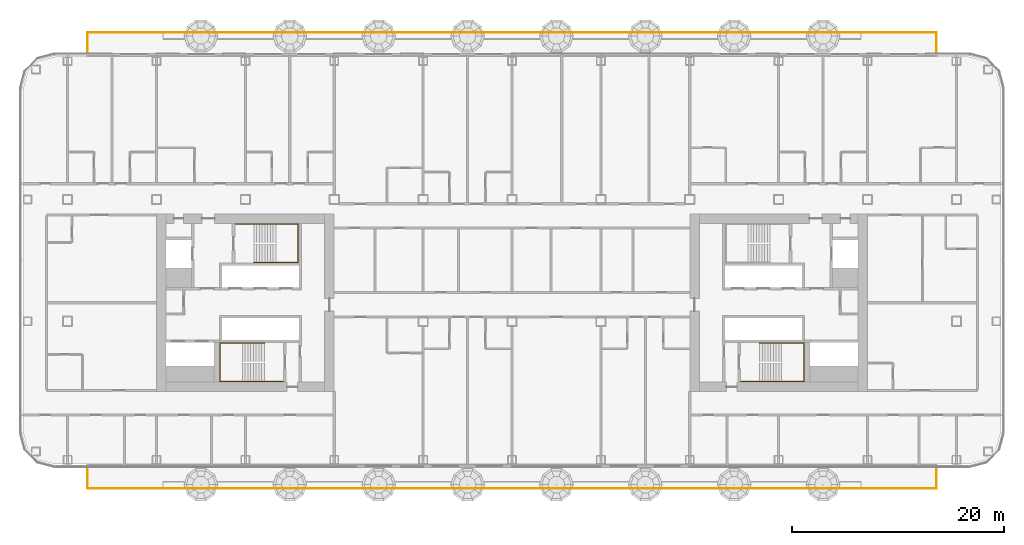
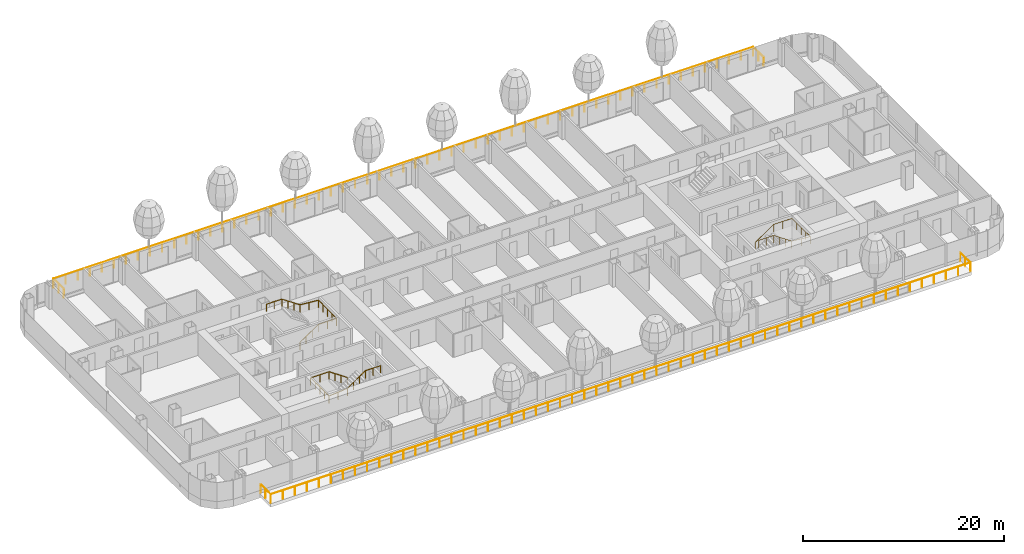
# One storey, part 27 of 33: 5 railings.
"""IFC4 building model written with IfcOpenShell, lengths in metres."""

from ifc_helpers import new_model, si_unit, direction, frame, origin, origin_2d, place, context, subcontext, project, spatial, circle, extrude, material, type_object, element, save


model = new_model("IFC4")

# Units and contexts
model_context = context("Model", 3, precision=1e-05, world=origin(), true_north=direction((0.0, 1.0)))
body_context = subcontext(model_context, "Body", "Model", "MODEL_VIEW")
ifc_project = project(units=[si_unit("LENGTHUNIT", "METRE"), si_unit("AREAUNIT", "SQUARE_METRE"), si_unit("VOLUMEUNIT", "CUBIC_METRE"), si_unit("PLANEANGLEUNIT", "RADIAN"), si_unit("MASSUNIT", "GRAM", prefix="KILO")], contexts=[model_context])

# Site, building, storey
site_placement = place(None, origin())
site = spatial("IfcSite", under=ifc_project, at=site_placement, CompositionType="ELEMENT")
building_placement = place(site_placement, origin())
building = spatial("IfcBuilding", under=site, at=building_placement, Name="Hakoniwa Tower and Hamabe Station Hall", CompositionType="ELEMENT")
storey_placement = place(building_placement, frame((0.0, 0.0, 81.800048828125)))
storey = spatial("IfcBuildingStorey", under=building, at=storey_placement, Name="L22", CompositionType="ELEMENT", Elevation=81.800048828125)

# Railings
ifc_material_1 = material(Name="Stainless steel and laminated glass", Category="steel")
railing_type_1 = type_object("IfcRailingType", Name="BALCONY BALUSTRADE 1100", PredefinedType="BALUSTRADE", material=ifc_material_1)
railing_1_placement = place(storey_placement, frame((-40.10009765625, 23.550048828125, 0.0)))
element("IfcRailing", 1, at=railing_1_placement, inside=storey, type_object=railing_type_1, Name="Balcony balustrade", PredefinedType="BALUSTRADE", context=body_context, shape_type="SweptSolid", body=[
    extrude(circle(Radius=0.02392578125, at=origin_2d()), frame((0.0, 0.0, 1.076171875), z_axis=(0.0, 1.0, 0.0), x_axis=(-1.0, 0.0, 0.0)), (0.0, 0.0, 1.0), 2.0),
    extrude(circle(Radius=0.02392578125, at=origin_2d()), frame((0.0, 2.0, 1.076171875), z_axis=(1.0, 0.0, 0.0), x_axis=(0.0, 1.0, 0.0)), (0.0, 0.0, 1.0), 80.2001953125),
    extrude(circle(Radius=0.02392578125, at=origin_2d()), frame((80.2001953125, 2.0, 1.076171875), z_axis=(0.0, -1.0, 0.0), x_axis=(1.0, 0.0, 0.0)), (0.0, 0.0, 1.0), 2.0),
    extrude(circle(Radius=0.02099609375, at=origin_2d()), origin(), (0.0, 0.0, 1.0), 1.052001953125),
    extrude(circle(Radius=0.02099609375, at=origin_2d()), frame((0.0, 1.0, 0.0)), (0.0, 0.0, 1.0), 1.052001953125),
    extrude(circle(Radius=0.02099609375, at=origin_2d()), frame((0.0, 2.0, 0.0)), (0.0, 0.0, 1.0), 1.052001953125),
    extrude(circle(Radius=0.02099609375, at=origin_2d()), frame((1.3828125, 2.0, 0.0)), (0.0, 0.0, 1.0), 1.052001953125),
    extrude(circle(Radius=0.02099609375, at=origin_2d()), frame((2.765625, 2.0, 0.0)), (0.0, 0.0, 1.0), 1.052001953125),
    extrude(circle(Radius=0.02099609375, at=origin_2d()), frame((4.148193359375, 2.0, 0.0)), (0.0, 0.0, 1.0), 1.052001953125),
    extrude(circle(Radius=0.02099609375, at=origin_2d()), frame((5.531005859375, 2.0, 0.0)), (0.0, 0.0, 1.0), 1.052001953125),
    extrude(circle(Radius=0.02099609375, at=origin_2d()), frame((6.913818359375, 2.0, 0.0)), (0.0, 0.0, 1.0), 1.052001953125),
    extrude(circle(Radius=0.02099609375, at=origin_2d()), frame((8.296630859375, 2.0, 0.0)), (0.0, 0.0, 1.0), 1.052001953125),
    extrude(circle(Radius=0.02099609375, at=origin_2d()), frame((9.679443359375, 2.0, 0.0)), (0.0, 0.0, 1.0), 1.052001953125),
    extrude(circle(Radius=0.02099609375, at=origin_2d()), frame((11.06201171875, 2.0, 0.0)), (0.0, 0.0, 1.0), 1.052001953125),
    extrude(circle(Radius=0.02099609375, at=origin_2d()), frame((12.44482421875, 2.0, 0.0)), (0.0, 0.0, 1.0), 1.052001953125),
    extrude(circle(Radius=0.02099609375, at=origin_2d()), frame((13.82763671875, 2.0, 0.0)), (0.0, 0.0, 1.0), 1.052001953125),
    extrude(circle(Radius=0.02099609375, at=origin_2d()), frame((15.21044921875, 2.0, 0.0)), (0.0, 0.0, 1.0), 1.052001953125),
    extrude(circle(Radius=0.02099609375, at=origin_2d()), frame((16.59326171875, 2.0, 0.0)), (0.0, 0.0, 1.0), 1.052001953125),
    extrude(circle(Radius=0.02099609375, at=origin_2d()), frame((17.975830078125, 2.0, 0.0)), (0.0, 0.0, 1.0), 1.052001953125),
    extrude(circle(Radius=0.02099609375, at=origin_2d()), frame((19.358642578125, 2.0, 0.0)), (0.0, 0.0, 1.0), 1.052001953125),
    extrude(circle(Radius=0.02099609375, at=origin_2d()), frame((20.741455078125, 2.0, 0.0)), (0.0, 0.0, 1.0), 1.052001953125),
    extrude(circle(Radius=0.02099609375, at=origin_2d()), frame((22.124267578125, 2.0, 0.0)), (0.0, 0.0, 1.0), 1.052001953125),
    extrude(circle(Radius=0.02099609375, at=origin_2d()), frame((23.5068359375, 2.0, 0.0)), (0.0, 0.0, 1.0), 1.052001953125),
    extrude(circle(Radius=0.02099609375, at=origin_2d()), frame((24.8896484375, 2.0, 0.0)), (0.0, 0.0, 1.0), 1.052001953125),
    extrude(circle(Radius=0.02099609375, at=origin_2d()), frame((26.2724609375, 2.0, 0.0)), (0.0, 0.0, 1.0), 1.052001953125),
    extrude(circle(Radius=0.02099609375, at=origin_2d()), frame((27.6552734375, 2.0, 0.0)), (0.0, 0.0, 1.0), 1.052001953125),
    extrude(circle(Radius=0.02099609375, at=origin_2d()), frame((29.0380859375, 2.0, 0.0)), (0.0, 0.0, 1.0), 1.052001953125),
    extrude(circle(Radius=0.02099609375, at=origin_2d()), frame((30.420654296875, 2.0, 0.0)), (0.0, 0.0, 1.0), 1.052001953125),
    extrude(circle(Radius=0.02099609375, at=origin_2d()), frame((31.803466796875, 2.0, 0.0)), (0.0, 0.0, 1.0), 1.052001953125),
    extrude(circle(Radius=0.02099609375, at=origin_2d()), frame((33.186279296875, 2.0, 0.0)), (0.0, 0.0, 1.0), 1.052001953125),
    extrude(circle(Radius=0.02099609375, at=origin_2d()), frame((34.569091796875, 2.0, 0.0)), (0.0, 0.0, 1.0), 1.052001953125),
    extrude(circle(Radius=0.02099609375, at=origin_2d()), frame((35.951904296875, 2.0, 0.0)), (0.0, 0.0, 1.0), 1.052001953125),
    extrude(circle(Radius=0.02099609375, at=origin_2d()), frame((37.33447265625, 2.0, 0.0)), (0.0, 0.0, 1.0), 1.052001953125),
    extrude(circle(Radius=0.02099609375, at=origin_2d()), frame((38.71728515625, 2.0, 0.0)), (0.0, 0.0, 1.0), 1.052001953125),
    extrude(circle(Radius=0.02099609375, at=origin_2d()), frame((40.10009765625, 2.0, 0.0)), (0.0, 0.0, 1.0), 1.052001953125),
    extrude(circle(Radius=0.02099609375, at=origin_2d()), frame((41.48291015625, 2.0, 0.0)), (0.0, 0.0, 1.0), 1.052001953125),
    extrude(circle(Radius=0.02099609375, at=origin_2d()), frame((42.86572265625, 2.0, 0.0)), (0.0, 0.0, 1.0), 1.052001953125),
    extrude(circle(Radius=0.02099609375, at=origin_2d()), frame((44.248291015625, 2.0, 0.0)), (0.0, 0.0, 1.0), 1.052001953125),
    extrude(circle(Radius=0.02099609375, at=origin_2d()), frame((45.631103515625, 2.0, 0.0)), (0.0, 0.0, 1.0), 1.052001953125),
    extrude(circle(Radius=0.02099609375, at=origin_2d()), frame((47.013916015625, 2.0, 0.0)), (0.0, 0.0, 1.0), 1.052001953125),
    extrude(circle(Radius=0.02099609375, at=origin_2d()), frame((48.396728515625, 2.0, 0.0)), (0.0, 0.0, 1.0), 1.052001953125),
    extrude(circle(Radius=0.02099609375, at=origin_2d()), frame((49.779541015625, 2.0, 0.0)), (0.0, 0.0, 1.0), 1.052001953125),
    extrude(circle(Radius=0.02099609375, at=origin_2d()), frame((51.162109375, 2.0, 0.0)), (0.0, 0.0, 1.0), 1.052001953125),
    extrude(circle(Radius=0.02099609375, at=origin_2d()), frame((52.544921875, 2.0, 0.0)), (0.0, 0.0, 1.0), 1.052001953125),
    extrude(circle(Radius=0.02099609375, at=origin_2d()), frame((53.927734375, 2.0, 0.0)), (0.0, 0.0, 1.0), 1.052001953125),
    extrude(circle(Radius=0.02099609375, at=origin_2d()), frame((55.310546875, 2.0, 0.0)), (0.0, 0.0, 1.0), 1.052001953125),
    extrude(circle(Radius=0.02099609375, at=origin_2d()), frame((56.693359375, 2.0, 0.0)), (0.0, 0.0, 1.0), 1.052001953125),
    extrude(circle(Radius=0.02099609375, at=origin_2d()), frame((58.075927734375, 2.0, 0.0)), (0.0, 0.0, 1.0), 1.052001953125),
    extrude(circle(Radius=0.02099609375, at=origin_2d()), frame((59.458740234375, 2.0, 0.0)), (0.0, 0.0, 1.0), 1.052001953125),
    extrude(circle(Radius=0.02099609375, at=origin_2d()), frame((60.841552734375, 2.0, 0.0)), (0.0, 0.0, 1.0), 1.052001953125),
    extrude(circle(Radius=0.02099609375, at=origin_2d()), frame((62.224365234375, 2.0, 0.0)), (0.0, 0.0, 1.0), 1.052001953125),
    extrude(circle(Radius=0.02099609375, at=origin_2d()), frame((63.60693359375, 2.0, 0.0)), (0.0, 0.0, 1.0), 1.052001953125),
    extrude(circle(Radius=0.02099609375, at=origin_2d()), frame((64.98974609375, 2.0, 0.0)), (0.0, 0.0, 1.0), 1.052001953125),
    extrude(circle(Radius=0.02099609375, at=origin_2d()), frame((66.37255859375, 2.0, 0.0)), (0.0, 0.0, 1.0), 1.052001953125),
    extrude(circle(Radius=0.02099609375, at=origin_2d()), frame((67.75537109375, 2.0, 0.0)), (0.0, 0.0, 1.0), 1.052001953125),
    extrude(circle(Radius=0.02099609375, at=origin_2d()), frame((69.13818359375, 2.0, 0.0)), (0.0, 0.0, 1.0), 1.052001953125),
    extrude(circle(Radius=0.02099609375, at=origin_2d()), frame((70.520751953125, 2.0, 0.0)), (0.0, 0.0, 1.0), 1.052001953125),
    extrude(circle(Radius=0.02099609375, at=origin_2d()), frame((71.903564453125, 2.0, 0.0)), (0.0, 0.0, 1.0), 1.052001953125),
    extrude(circle(Radius=0.02099609375, at=origin_2d()), frame((73.286376953125, 2.0, 0.0)), (0.0, 0.0, 1.0), 1.052001953125),
    extrude(circle(Radius=0.02099609375, at=origin_2d()), frame((74.669189453125, 2.0, 0.0)), (0.0, 0.0, 1.0), 1.052001953125),
    extrude(circle(Radius=0.02099609375, at=origin_2d()), frame((76.052001953125, 2.0, 0.0)), (0.0, 0.0, 1.0), 1.052001953125),
    extrude(circle(Radius=0.02099609375, at=origin_2d()), frame((77.4345703125, 2.0, 0.0)), (0.0, 0.0, 1.0), 1.052001953125),
    extrude(circle(Radius=0.02099609375, at=origin_2d()), frame((78.8173828125, 2.0, 0.0)), (0.0, 0.0, 1.0), 1.052001953125),
    extrude(circle(Radius=0.02099609375, at=origin_2d()), frame((80.2001953125, 2.0, 0.0)), (0.0, 0.0, 1.0), 1.052001953125),
    extrude(circle(Radius=0.02099609375, at=origin_2d()), frame((80.2001953125, 1.0, 0.0)), (0.0, 0.0, 1.0), 1.052001953125),
    extrude(circle(Radius=0.02099609375, at=origin_2d()), frame((80.2001953125, 0.0, 0.0)), (0.0, 0.0, 1.0), 1.052001953125),
])
railing_2_placement = place(storey_placement, frame((-40.10009765625, -15.550048828125, 0.0)))
element("IfcRailing", 2, at=railing_2_placement, inside=storey, type_object=railing_type_1, Name="Balcony balustrade", PredefinedType="BALUSTRADE", context=body_context, shape_type="SweptSolid", body=[
    extrude(circle(Radius=0.02392578125, at=origin_2d()), frame((0.0, 0.0, 1.076171875), z_axis=(0.0, -1.0, 0.0), x_axis=(1.0, 0.0, 0.0)), (0.0, 0.0, 1.0), 2.0),
    extrude(circle(Radius=0.02392578125, at=origin_2d()), frame((0.0, -2.0, 1.076171875), z_axis=(1.0, 0.0, 0.0), x_axis=(0.0, 1.0, 0.0)), (0.0, 0.0, 1.0), 80.2001953125),
    extrude(circle(Radius=0.02392578125, at=origin_2d()), frame((80.2001953125, -2.0, 1.076171875), z_axis=(0.0, 1.0, 0.0), x_axis=(-1.0, 0.0, 0.0)), (0.0, 0.0, 1.0), 2.0),
    extrude(circle(Radius=0.02099609375, at=origin_2d()), origin(), (0.0, 0.0, 1.0), 1.052001953125),
    extrude(circle(Radius=0.02099609375, at=origin_2d()), frame((0.0, -1.0, 0.0)), (0.0, 0.0, 1.0), 1.052001953125),
    extrude(circle(Radius=0.02099609375, at=origin_2d()), frame((0.0, -2.0, 0.0)), (0.0, 0.0, 1.0), 1.052001953125),
    extrude(circle(Radius=0.02099609375, at=origin_2d()), frame((1.3828125, -2.0, 0.0)), (0.0, 0.0, 1.0), 1.052001953125),
    extrude(circle(Radius=0.02099609375, at=origin_2d()), frame((2.765625, -2.0, 0.0)), (0.0, 0.0, 1.0), 1.052001953125),
    extrude(circle(Radius=0.02099609375, at=origin_2d()), frame((4.148193359375, -2.0, 0.0)), (0.0, 0.0, 1.0), 1.052001953125),
    extrude(circle(Radius=0.02099609375, at=origin_2d()), frame((5.531005859375, -2.0, 0.0)), (0.0, 0.0, 1.0), 1.052001953125),
    extrude(circle(Radius=0.02099609375, at=origin_2d()), frame((6.913818359375, -2.0, 0.0)), (0.0, 0.0, 1.0), 1.052001953125),
    extrude(circle(Radius=0.02099609375, at=origin_2d()), frame((8.296630859375, -2.0, 0.0)), (0.0, 0.0, 1.0), 1.052001953125),
    extrude(circle(Radius=0.02099609375, at=origin_2d()), frame((9.679443359375, -2.0, 0.0)), (0.0, 0.0, 1.0), 1.052001953125),
    extrude(circle(Radius=0.02099609375, at=origin_2d()), frame((11.06201171875, -2.0, 0.0)), (0.0, 0.0, 1.0), 1.052001953125),
    extrude(circle(Radius=0.02099609375, at=origin_2d()), frame((12.44482421875, -2.0, 0.0)), (0.0, 0.0, 1.0), 1.052001953125),
    extrude(circle(Radius=0.02099609375, at=origin_2d()), frame((13.82763671875, -2.0, 0.0)), (0.0, 0.0, 1.0), 1.052001953125),
    extrude(circle(Radius=0.02099609375, at=origin_2d()), frame((15.21044921875, -2.0, 0.0)), (0.0, 0.0, 1.0), 1.052001953125),
    extrude(circle(Radius=0.02099609375, at=origin_2d()), frame((16.59326171875, -2.0, 0.0)), (0.0, 0.0, 1.0), 1.052001953125),
    extrude(circle(Radius=0.02099609375, at=origin_2d()), frame((17.975830078125, -2.0, 0.0)), (0.0, 0.0, 1.0), 1.052001953125),
    extrude(circle(Radius=0.02099609375, at=origin_2d()), frame((19.358642578125, -2.0, 0.0)), (0.0, 0.0, 1.0), 1.052001953125),
    extrude(circle(Radius=0.02099609375, at=origin_2d()), frame((20.741455078125, -2.0, 0.0)), (0.0, 0.0, 1.0), 1.052001953125),
    extrude(circle(Radius=0.02099609375, at=origin_2d()), frame((22.124267578125, -2.0, 0.0)), (0.0, 0.0, 1.0), 1.052001953125),
    extrude(circle(Radius=0.02099609375, at=origin_2d()), frame((23.5068359375, -2.0, 0.0)), (0.0, 0.0, 1.0), 1.052001953125),
    extrude(circle(Radius=0.02099609375, at=origin_2d()), frame((24.8896484375, -2.0, 0.0)), (0.0, 0.0, 1.0), 1.052001953125),
    extrude(circle(Radius=0.02099609375, at=origin_2d()), frame((26.2724609375, -2.0, 0.0)), (0.0, 0.0, 1.0), 1.052001953125),
    extrude(circle(Radius=0.02099609375, at=origin_2d()), frame((27.6552734375, -2.0, 0.0)), (0.0, 0.0, 1.0), 1.052001953125),
    extrude(circle(Radius=0.02099609375, at=origin_2d()), frame((29.0380859375, -2.0, 0.0)), (0.0, 0.0, 1.0), 1.052001953125),
    extrude(circle(Radius=0.02099609375, at=origin_2d()), frame((30.420654296875, -2.0, 0.0)), (0.0, 0.0, 1.0), 1.052001953125),
    extrude(circle(Radius=0.02099609375, at=origin_2d()), frame((31.803466796875, -2.0, 0.0)), (0.0, 0.0, 1.0), 1.052001953125),
    extrude(circle(Radius=0.02099609375, at=origin_2d()), frame((33.186279296875, -2.0, 0.0)), (0.0, 0.0, 1.0), 1.052001953125),
    extrude(circle(Radius=0.02099609375, at=origin_2d()), frame((34.569091796875, -2.0, 0.0)), (0.0, 0.0, 1.0), 1.052001953125),
    extrude(circle(Radius=0.02099609375, at=origin_2d()), frame((35.951904296875, -2.0, 0.0)), (0.0, 0.0, 1.0), 1.052001953125),
    extrude(circle(Radius=0.02099609375, at=origin_2d()), frame((37.33447265625, -2.0, 0.0)), (0.0, 0.0, 1.0), 1.052001953125),
    extrude(circle(Radius=0.02099609375, at=origin_2d()), frame((38.71728515625, -2.0, 0.0)), (0.0, 0.0, 1.0), 1.052001953125),
    extrude(circle(Radius=0.02099609375, at=origin_2d()), frame((40.10009765625, -2.0, 0.0)), (0.0, 0.0, 1.0), 1.052001953125),
    extrude(circle(Radius=0.02099609375, at=origin_2d()), frame((41.48291015625, -2.0, 0.0)), (0.0, 0.0, 1.0), 1.052001953125),
    extrude(circle(Radius=0.02099609375, at=origin_2d()), frame((42.86572265625, -2.0, 0.0)), (0.0, 0.0, 1.0), 1.052001953125),
    extrude(circle(Radius=0.02099609375, at=origin_2d()), frame((44.248291015625, -2.0, 0.0)), (0.0, 0.0, 1.0), 1.052001953125),
    extrude(circle(Radius=0.02099609375, at=origin_2d()), frame((45.631103515625, -2.0, 0.0)), (0.0, 0.0, 1.0), 1.052001953125),
    extrude(circle(Radius=0.02099609375, at=origin_2d()), frame((47.013916015625, -2.0, 0.0)), (0.0, 0.0, 1.0), 1.052001953125),
    extrude(circle(Radius=0.02099609375, at=origin_2d()), frame((48.396728515625, -2.0, 0.0)), (0.0, 0.0, 1.0), 1.052001953125),
    extrude(circle(Radius=0.02099609375, at=origin_2d()), frame((49.779541015625, -2.0, 0.0)), (0.0, 0.0, 1.0), 1.052001953125),
    extrude(circle(Radius=0.02099609375, at=origin_2d()), frame((51.162109375, -2.0, 0.0)), (0.0, 0.0, 1.0), 1.052001953125),
    extrude(circle(Radius=0.02099609375, at=origin_2d()), frame((52.544921875, -2.0, 0.0)), (0.0, 0.0, 1.0), 1.052001953125),
    extrude(circle(Radius=0.02099609375, at=origin_2d()), frame((53.927734375, -2.0, 0.0)), (0.0, 0.0, 1.0), 1.052001953125),
    extrude(circle(Radius=0.02099609375, at=origin_2d()), frame((55.310546875, -2.0, 0.0)), (0.0, 0.0, 1.0), 1.052001953125),
    extrude(circle(Radius=0.02099609375, at=origin_2d()), frame((56.693359375, -2.0, 0.0)), (0.0, 0.0, 1.0), 1.052001953125),
    extrude(circle(Radius=0.02099609375, at=origin_2d()), frame((58.075927734375, -2.0, 0.0)), (0.0, 0.0, 1.0), 1.052001953125),
    extrude(circle(Radius=0.02099609375, at=origin_2d()), frame((59.458740234375, -2.0, 0.0)), (0.0, 0.0, 1.0), 1.052001953125),
    extrude(circle(Radius=0.02099609375, at=origin_2d()), frame((60.841552734375, -2.0, 0.0)), (0.0, 0.0, 1.0), 1.052001953125),
    extrude(circle(Radius=0.02099609375, at=origin_2d()), frame((62.224365234375, -2.0, 0.0)), (0.0, 0.0, 1.0), 1.052001953125),
    extrude(circle(Radius=0.02099609375, at=origin_2d()), frame((63.60693359375, -2.0, 0.0)), (0.0, 0.0, 1.0), 1.052001953125),
    extrude(circle(Radius=0.02099609375, at=origin_2d()), frame((64.98974609375, -2.0, 0.0)), (0.0, 0.0, 1.0), 1.052001953125),
    extrude(circle(Radius=0.02099609375, at=origin_2d()), frame((66.37255859375, -2.0, 0.0)), (0.0, 0.0, 1.0), 1.052001953125),
    extrude(circle(Radius=0.02099609375, at=origin_2d()), frame((67.75537109375, -2.0, 0.0)), (0.0, 0.0, 1.0), 1.052001953125),
    extrude(circle(Radius=0.02099609375, at=origin_2d()), frame((69.13818359375, -2.0, 0.0)), (0.0, 0.0, 1.0), 1.052001953125),
    extrude(circle(Radius=0.02099609375, at=origin_2d()), frame((70.520751953125, -2.0, 0.0)), (0.0, 0.0, 1.0), 1.052001953125),
    extrude(circle(Radius=0.02099609375, at=origin_2d()), frame((71.903564453125, -2.0, 0.0)), (0.0, 0.0, 1.0), 1.052001953125),
    extrude(circle(Radius=0.02099609375, at=origin_2d()), frame((73.286376953125, -2.0, 0.0)), (0.0, 0.0, 1.0), 1.052001953125),
    extrude(circle(Radius=0.02099609375, at=origin_2d()), frame((74.669189453125, -2.0, 0.0)), (0.0, 0.0, 1.0), 1.052001953125),
    extrude(circle(Radius=0.02099609375, at=origin_2d()), frame((76.052001953125, -2.0, 0.0)), (0.0, 0.0, 1.0), 1.052001953125),
    extrude(circle(Radius=0.02099609375, at=origin_2d()), frame((77.4345703125, -2.0, 0.0)), (0.0, 0.0, 1.0), 1.052001953125),
    extrude(circle(Radius=0.02099609375, at=origin_2d()), frame((78.8173828125, -2.0, 0.0)), (0.0, 0.0, 1.0), 1.052001953125),
    extrude(circle(Radius=0.02099609375, at=origin_2d()), frame((80.2001953125, -2.0, 0.0)), (0.0, 0.0, 1.0), 1.052001953125),
    extrude(circle(Radius=0.02099609375, at=origin_2d()), frame((80.2001953125, -1.0, 0.0)), (0.0, 0.0, 1.0), 1.052001953125),
    extrude(circle(Radius=0.02099609375, at=origin_2d()), frame((80.2001953125, 0.0, 0.0)), (0.0, 0.0, 1.0), 1.052001953125),
])
ifc_material_2 = material(Name="Stainless steel SUS304", Category="steel")
railing_type_2 = type_object("IfcRailingType", Name="STAIR HANDRAIL 900", PredefinedType="HANDRAIL", material=ifc_material_2)
railing_3_placement = place(storey_placement, frame((-24.39990234375, 3.81005859375, 0.177734375)))
element("IfcRailing", 3, at=railing_3_placement, inside=storey, type_object=railing_type_2, Name="Handrail ST-1 L22 1", PredefinedType="HANDRAIL", context=body_context, shape_type="SweptSolid", body=[
    extrude(circle(Radius=0.02392578125, at=origin_2d()), frame((0.0, 0.0, 0.8759765625), z_axis=(0.825478349766, 0.0, 0.564433781827), x_axis=(0.0, 1.0, 0.0)), (0.0, 0.0, 1.0), 2.51953125),
    extrude(circle(Radius=0.02392578125, at=origin_2d()), frame((2.079833984375, 0.0, 2.2978515625), z_axis=(1.0, 0.0, 0.0), x_axis=(0.0, 1.0, 0.0)), (0.0, 0.0, 1.0), 2.110107421875),
    extrude(circle(Radius=0.02392578125, at=origin_2d()), frame((4.18994140625, 0.0, 2.2978515625), z_axis=(0.0, 1.0, 0.0), x_axis=(-1.0, 0.0, 0.0)), (0.0, 0.0, 1.0), 3.6298828125),
    extrude(circle(Radius=0.02392578125, at=origin_2d()), frame((4.18994140625, 3.6298828125, 2.2978515625), z_axis=(-0.996461767938, 0.0, 0.084047278587), x_axis=(0.0, -1.0, 0.0)), (0.0, 0.0, 1.0), 2.11767578125),
    extrude(circle(Radius=0.02392578125, at=origin_2d()), frame((2.079833984375, 3.6298828125, 2.47607421875), z_axis=(-0.825478349766, 0.0, 0.564433781827), x_axis=(0.0, -1.0, 0.0)), (0.0, 0.0, 1.0), 2.51953125),
    extrude(circle(Radius=0.02392578125, at=origin_2d()), frame((0.0, 3.6298828125, 3.89794921875), z_axis=(-1.0, 0.0, 0.0), x_axis=(0.0, -1.0, 0.0)), (0.0, 0.0, 1.0), 1.739990234375),
    extrude(circle(Radius=0.02099609375, at=origin_2d()), origin(), (0.0, 0.0, 1.0), 0.851806640625),
    extrude(circle(Radius=0.02099609375, at=origin_2d()), frame((0.693359375, 0.0, 0.47412109375)), (0.0, 0.0, 1.0), 0.851806640625),
    extrude(circle(Radius=0.02099609375, at=origin_2d()), frame((1.386474609375, 0.0, 0.947998046875)), (0.0, 0.0, 1.0), 0.851806640625),
    extrude(circle(Radius=0.02099609375, at=origin_2d()), frame((2.079833984375, 0.0, 1.422119140625)), (0.0, 0.0, 1.0), 0.851806640625),
    extrude(circle(Radius=0.02099609375, at=origin_2d()), frame((3.134765625, 0.0, 1.422119140625)), (0.0, 0.0, 1.0), 0.851806640625),
    extrude(circle(Radius=0.02099609375, at=origin_2d()), frame((4.18994140625, 0.0, 1.422119140625)), (0.0, 0.0, 1.0), 0.851806640625),
    extrude(circle(Radius=0.02099609375, at=origin_2d()), frame((4.18994140625, 0.907470703125, 1.422119140625)), (0.0, 0.0, 1.0), 0.851806640625),
    extrude(circle(Radius=0.02099609375, at=origin_2d()), frame((4.18994140625, 1.81494140625, 1.422119140625)), (0.0, 0.0, 1.0), 0.851806640625),
    extrude(circle(Radius=0.02099609375, at=origin_2d()), frame((4.18994140625, 2.722412109375, 1.422119140625)), (0.0, 0.0, 1.0), 0.851806640625),
    extrude(circle(Radius=0.02099609375, at=origin_2d()), frame((4.18994140625, 3.6298828125, 1.422119140625)), (0.0, 0.0, 1.0), 0.851806640625),
    extrude(circle(Radius=0.02099609375, at=origin_2d()), frame((3.134765625, 3.6298828125, 1.51123046875)), (0.0, 0.0, 1.0), 0.851806640625),
    extrude(circle(Radius=0.02099609375, at=origin_2d()), frame((2.079833984375, 3.6298828125, 1.60009765625)), (0.0, 0.0, 1.0), 0.851806640625),
    extrude(circle(Radius=0.02099609375, at=origin_2d()), frame((1.386474609375, 3.6298828125, 2.07421875)), (0.0, 0.0, 1.0), 0.851806640625),
    extrude(circle(Radius=0.02099609375, at=origin_2d()), frame((0.693359375, 3.6298828125, 2.548095703125)), (0.0, 0.0, 1.0), 0.851806640625),
    extrude(circle(Radius=0.02099609375, at=origin_2d()), frame((0.0, 3.6298828125, 3.022216796875)), (0.0, 0.0, 1.0), 0.851806640625),
    extrude(circle(Radius=0.02099609375, at=origin_2d()), frame((-0.8701171875, 3.6298828125, 3.022216796875)), (0.0, 0.0, 1.0), 0.851806640625),
    extrude(circle(Radius=0.02099609375, at=origin_2d()), frame((-1.739990234375, 3.6298828125, 3.022216796875)), (0.0, 0.0, 1.0), 0.851806640625),
])
railing_4_placement = place(storey_placement, frame((-23.39990234375, -3.81005859375, 0.177734375)))
element("IfcRailing", 4, at=railing_4_placement, inside=storey, type_object=railing_type_2, Name="Handrail ST-2 L22 1", PredefinedType="HANDRAIL", context=body_context, shape_type="SweptSolid", body=[
    extrude(circle(Radius=0.02392578125, at=origin_2d()), frame((0.0, 0.0, 0.8759765625), z_axis=(-0.82550921652, 0.0, 0.564388636881), x_axis=(0.0, -1.0, 0.0)), (0.0, 0.0, 1.0), 2.519775390625),
    extrude(circle(Radius=0.02392578125, at=origin_2d()), frame((-2.080078125, 0.0, 2.2978515625), z_axis=(-1.0, 0.0, 0.0), x_axis=(0.0, -1.0, 0.0)), (0.0, 0.0, 1.0), 2.110107421875),
    extrude(circle(Radius=0.02392578125, at=origin_2d()), frame((-4.190185546875, 0.0, 2.2978515625), z_axis=(0.0, -1.0, 0.0), x_axis=(1.0, 0.0, 0.0)), (0.0, 0.0, 1.0), 3.6298828125),
    extrude(circle(Radius=0.02392578125, at=origin_2d()), frame((-4.190185546875, -3.6298828125, 2.2978515625), z_axis=(0.996461767938, 0.0, 0.084047278587), x_axis=(0.0, 1.0, 0.0)), (0.0, 0.0, 1.0), 2.11767578125),
    extrude(circle(Radius=0.02392578125, at=origin_2d()), frame((-2.080078125, -3.6298828125, 2.47607421875), z_axis=(0.82550921652, 0.0, 0.564388636881), x_axis=(0.0, 1.0, 0.0)), (0.0, 0.0, 1.0), 2.519775390625),
    extrude(circle(Radius=0.02392578125, at=origin_2d()), frame((0.0, -3.6298828125, 3.89794921875), z_axis=(1.0, 0.0, 0.0), x_axis=(0.0, 1.0, 0.0)), (0.0, 0.0, 1.0), 1.739990234375),
    extrude(circle(Radius=0.02099609375, at=origin_2d()), origin(), (0.0, 0.0, 1.0), 0.851806640625),
    extrude(circle(Radius=0.02099609375, at=origin_2d()), frame((-0.693359375, 0.0, 0.47412109375)), (0.0, 0.0, 1.0), 0.851806640625),
    extrude(circle(Radius=0.02099609375, at=origin_2d()), frame((-1.38671875, 0.0, 0.947998046875)), (0.0, 0.0, 1.0), 0.851806640625),
    extrude(circle(Radius=0.02099609375, at=origin_2d()), frame((-2.080078125, 0.0, 1.422119140625)), (0.0, 0.0, 1.0), 0.851806640625),
    extrude(circle(Radius=0.02099609375, at=origin_2d()), frame((-3.13525390625, 0.0, 1.422119140625)), (0.0, 0.0, 1.0), 0.851806640625),
    extrude(circle(Radius=0.02099609375, at=origin_2d()), frame((-4.190185546875, 0.0, 1.422119140625)), (0.0, 0.0, 1.0), 0.851806640625),
    extrude(circle(Radius=0.02099609375, at=origin_2d()), frame((-4.190185546875, -0.907470703125, 1.422119140625)), (0.0, 0.0, 1.0), 0.851806640625),
    extrude(circle(Radius=0.02099609375, at=origin_2d()), frame((-4.190185546875, -1.81494140625, 1.422119140625)), (0.0, 0.0, 1.0), 0.851806640625),
    extrude(circle(Radius=0.02099609375, at=origin_2d()), frame((-4.190185546875, -2.722412109375, 1.422119140625)), (0.0, 0.0, 1.0), 0.851806640625),
    extrude(circle(Radius=0.02099609375, at=origin_2d()), frame((-4.190185546875, -3.6298828125, 1.422119140625)), (0.0, 0.0, 1.0), 0.851806640625),
    extrude(circle(Radius=0.02099609375, at=origin_2d()), frame((-3.13525390625, -3.6298828125, 1.51123046875)), (0.0, 0.0, 1.0), 0.851806640625),
    extrude(circle(Radius=0.02099609375, at=origin_2d()), frame((-2.080078125, -3.6298828125, 1.60009765625)), (0.0, 0.0, 1.0), 0.851806640625),
    extrude(circle(Radius=0.02099609375, at=origin_2d()), frame((-1.38671875, -3.6298828125, 2.07421875)), (0.0, 0.0, 1.0), 0.851806640625),
    extrude(circle(Radius=0.02099609375, at=origin_2d()), frame((-0.693359375, -3.6298828125, 2.548095703125)), (0.0, 0.0, 1.0), 0.851806640625),
    extrude(circle(Radius=0.02099609375, at=origin_2d()), frame((0.0, -3.6298828125, 3.022216796875)), (0.0, 0.0, 1.0), 0.851806640625),
    extrude(circle(Radius=0.02099609375, at=origin_2d()), frame((0.8701171875, -3.6298828125, 3.022216796875)), (0.0, 0.0, 1.0), 0.851806640625),
    extrude(circle(Radius=0.02099609375, at=origin_2d()), frame((1.739990234375, -3.6298828125, 3.022216796875)), (0.0, 0.0, 1.0), 0.851806640625),
])
railing_5_placement = place(storey_placement, frame((23.39990234375, -3.81005859375, 0.177734375)))
element("IfcRailing", 5, at=railing_5_placement, inside=storey, type_object=railing_type_2, Name="Handrail ST-4 L22 1", PredefinedType="HANDRAIL", context=body_context, shape_type="SweptSolid", body=[
    extrude(circle(Radius=0.02392578125, at=origin_2d()), frame((0.0, 0.0, 0.8759765625), z_axis=(0.82550921652, 0.0, 0.564388636881), x_axis=(0.0, 1.0, 0.0)), (0.0, 0.0, 1.0), 2.519775390625),
    extrude(circle(Radius=0.02392578125, at=origin_2d()), frame((2.080078125, 0.0, 2.2978515625), z_axis=(1.0, 0.0, 0.0), x_axis=(0.0, 1.0, 0.0)), (0.0, 0.0, 1.0), 2.110107421875),
    extrude(circle(Radius=0.02392578125, at=origin_2d()), frame((4.190185546875, 0.0, 2.2978515625), z_axis=(0.0, -1.0, 0.0), x_axis=(1.0, 0.0, 0.0)), (0.0, 0.0, 1.0), 3.6298828125),
    extrude(circle(Radius=0.02392578125, at=origin_2d()), frame((4.190185546875, -3.6298828125, 2.2978515625), z_axis=(-0.996461767938, 0.0, 0.084047278587), x_axis=(0.0, -1.0, 0.0)), (0.0, 0.0, 1.0), 2.11767578125),
    extrude(circle(Radius=0.02392578125, at=origin_2d()), frame((2.080078125, -3.6298828125, 2.47607421875), z_axis=(-0.82550921652, 0.0, 0.564388636881), x_axis=(0.0, -1.0, 0.0)), (0.0, 0.0, 1.0), 2.519775390625),
    extrude(circle(Radius=0.02392578125, at=origin_2d()), frame((0.0, -3.6298828125, 3.89794921875), z_axis=(-1.0, 0.0, 0.0), x_axis=(0.0, -1.0, 0.0)), (0.0, 0.0, 1.0), 1.739990234375),
    extrude(circle(Radius=0.02099609375, at=origin_2d()), origin(), (0.0, 0.0, 1.0), 0.851806640625),
    extrude(circle(Radius=0.02099609375, at=origin_2d()), frame((0.693359375, 0.0, 0.47412109375)), (0.0, 0.0, 1.0), 0.851806640625),
    extrude(circle(Radius=0.02099609375, at=origin_2d()), frame((1.38671875, 0.0, 0.947998046875)), (0.0, 0.0, 1.0), 0.851806640625),
    extrude(circle(Radius=0.02099609375, at=origin_2d()), frame((2.080078125, 0.0, 1.422119140625)), (0.0, 0.0, 1.0), 0.851806640625),
    extrude(circle(Radius=0.02099609375, at=origin_2d()), frame((3.13525390625, 0.0, 1.422119140625)), (0.0, 0.0, 1.0), 0.851806640625),
    extrude(circle(Radius=0.02099609375, at=origin_2d()), frame((4.190185546875, 0.0, 1.422119140625)), (0.0, 0.0, 1.0), 0.851806640625),
    extrude(circle(Radius=0.02099609375, at=origin_2d()), frame((4.190185546875, -0.907470703125, 1.422119140625)), (0.0, 0.0, 1.0), 0.851806640625),
    extrude(circle(Radius=0.02099609375, at=origin_2d()), frame((4.190185546875, -1.81494140625, 1.422119140625)), (0.0, 0.0, 1.0), 0.851806640625),
    extrude(circle(Radius=0.02099609375, at=origin_2d()), frame((4.190185546875, -2.722412109375, 1.422119140625)), (0.0, 0.0, 1.0), 0.851806640625),
    extrude(circle(Radius=0.02099609375, at=origin_2d()), frame((4.190185546875, -3.6298828125, 1.422119140625)), (0.0, 0.0, 1.0), 0.851806640625),
    extrude(circle(Radius=0.02099609375, at=origin_2d()), frame((3.13525390625, -3.6298828125, 1.51123046875)), (0.0, 0.0, 1.0), 0.851806640625),
    extrude(circle(Radius=0.02099609375, at=origin_2d()), frame((2.080078125, -3.6298828125, 1.60009765625)), (0.0, 0.0, 1.0), 0.851806640625),
    extrude(circle(Radius=0.02099609375, at=origin_2d()), frame((1.38671875, -3.6298828125, 2.07421875)), (0.0, 0.0, 1.0), 0.851806640625),
    extrude(circle(Radius=0.02099609375, at=origin_2d()), frame((0.693359375, -3.6298828125, 2.548095703125)), (0.0, 0.0, 1.0), 0.851806640625),
    extrude(circle(Radius=0.02099609375, at=origin_2d()), frame((0.0, -3.6298828125, 3.022216796875)), (0.0, 0.0, 1.0), 0.851806640625),
    extrude(circle(Radius=0.02099609375, at=origin_2d()), frame((-0.8701171875, -3.6298828125, 3.022216796875)), (0.0, 0.0, 1.0), 0.851806640625),
    extrude(circle(Radius=0.02099609375, at=origin_2d()), frame((-1.739990234375, -3.6298828125, 3.022216796875)), (0.0, 0.0, 1.0), 0.851806640625),
])

save(model, "model.ifc")
